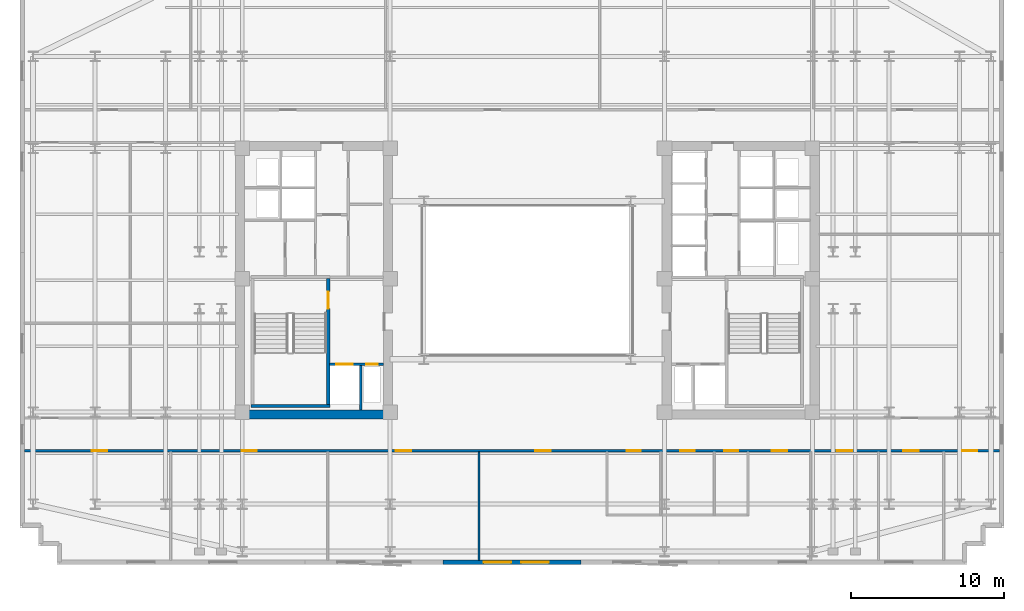
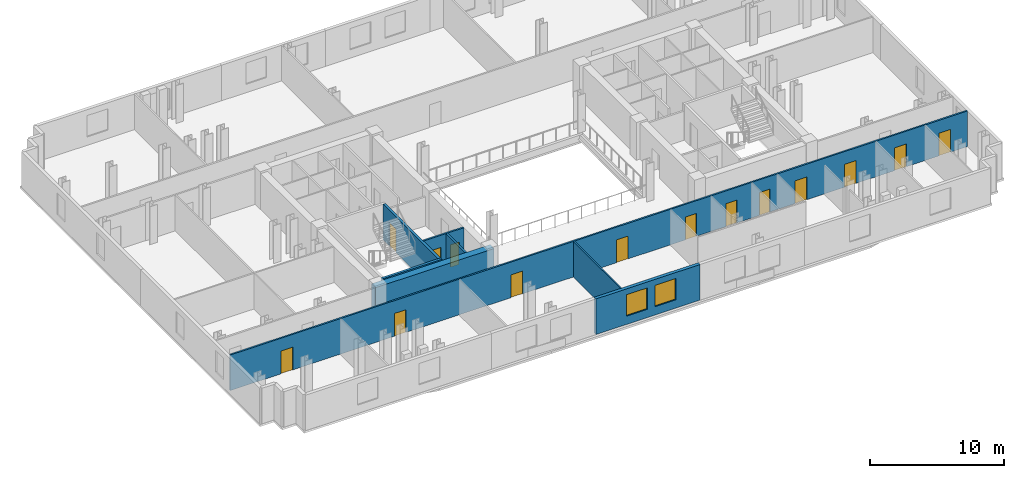
# One storey, part 4 of 9: 14 doors, 8 walls, 2 windows, 16 openings.
"""IFC4 building model written with IfcOpenShell, lengths in metres."""

from ifc_helpers import new_model, si_unit, direction, frame, frame_2d, origin, place, context, subcontext, project, spatial, rectangle, extrude, material, layer, layer_set, type_object, element, fill, save


model = new_model("IFC4")

# Units and contexts
model_context = context("Model", 3, precision=1e-05, world=origin(), true_north=direction((0.0, 1.0)))
body_context = subcontext(model_context, "Body", "Model", "MODEL_VIEW")
ifc_project = project(units=[si_unit("LENGTHUNIT", "METRE"), si_unit("AREAUNIT", "SQUARE_METRE"), si_unit("VOLUMEUNIT", "CUBIC_METRE"), si_unit("PLANEANGLEUNIT", "RADIAN"), si_unit("MASSUNIT", "GRAM", prefix="KILO")], contexts=[model_context])

# Site, building, storey
site_placement = place(None, origin())
site = spatial("IfcSite", under=ifc_project, at=site_placement, CompositionType="ELEMENT")
building_placement = place(site_placement, origin())
building = spatial("IfcBuilding", under=site, at=building_placement, Name="Velakula Bourse", CompositionType="ELEMENT")
storey_placement = place(building_placement, frame((0.0, 0.0, 138.10009765625)))
storey = spatial("IfcBuildingStorey", under=building, at=storey_placement, Name="L37", CompositionType="ELEMENT", Elevation=138.10009765625)

# Wall, opening, door
ifc_material_1 = material(Name="Concrete M50 (fck 50 MPa)", Category="concrete")
ifc_layer_1 = layer(ifc_material_1, 0.2099609375, Name="Concrete M50 (fck 50 MPa)", Category="concrete")
ifc_layer_set_1 = layer_set([ifc_layer_1], Name="Concrete M50 (fck 50 MPa)")
wall_type_1 = type_object("IfcWallType", Name="WL-CORE-210", PredefinedType="SHEAR", material=ifc_layer_set_1)
wall_1_placement = place(storey_placement, frame((-12.9951171875, -8.10009765625, 0.0), z_axis=(0.0, 0.0, 1.0), x_axis=(0.0, 1.0, 0.0)))
wall_1 = element("IfcWall", 1, at=wall_1_placement, inside=storey, type_object=wall_type_1, Name="L37 Core W Stairwell Shear Wall IN", PredefinedType="SHEAR", context=body_context, shape_type="SweptSolid", body=[
    extrude(rectangle(XDim=8.2001953125, YDim=0.2099609375, at=frame_2d((4.10009765625, 0.0))), origin(), (0.0, 0.0, 1.0), 3.27001953125),
])
opening_1_placement = place(wall_1_placement, frame((6.25, 0.0, 0.0)))
opening_1 = element("IfcOpeningElement", 2, at=opening_1_placement, cuts=wall_1, Name="Opening D-STW1", PredefinedType="OPENING", context=body_context, shape_type="SweptSolid", body=[
    extrude(rectangle(XDim=1.10009765625, YDim=2.14990234375, at=frame_2d((0.550048828125, 1.074951171875))), frame((0.0, 0.114990234375, 0.0), z_axis=(0.0, -1.0, 0.0), x_axis=(1.0, 0.0, 0.0)), (0.0, 0.0, 1.0), 0.22998046875),
])
ifc_material_2 = material(Name="Galvanised painted hollow steel fire door", Category="steel")
door_type_1 = type_object("IfcDoorType", Name="DR-FD120-1100x2150", OperationType="NOTDEFINED", PredefinedType="DOOR", material=ifc_material_2)
door_1_placement = place(opening_1_placement, origin())
door_1 = element("IfcDoor", 3, at=door_1_placement, inside=storey, type_object=door_type_1, Name="L37 Stair ST-W1 Fire Door", OperationType="SINGLE_SWING_LEFT", OverallHeight=2.14990234375, OverallWidth=1.10009765625, PredefinedType="DOOR", context=body_context, shape_type="SweptSolid", body=[
    extrude(rectangle(XDim=1.10009765625, YDim=2.14990234375, at=frame_2d((0.550048828125, 1.074951171875))), frame((0.0, 0.02490234375, 0.0), z_axis=(0.0, -1.0, 0.0), x_axis=(1.0, 0.0, 0.0)), (0.0, 0.0, 1.0), 0.050048828125),
])
fill(opening_1, door_1)

# Walls
wall_2_placement = place(storey_placement, frame((-18.030029296875, -8.205078125, 0.0), z_axis=(0.0, 0.0, 1.0), x_axis=(1.0, 0.0, 0.0)))
element("IfcWall", 4, at=wall_2_placement, inside=storey, type_object=wall_type_1, Name="L37 Core W Stairwell Shear Wall S", PredefinedType="SHEAR", context=body_context, shape_type="SweptSolid", body=[
    extrude(rectangle(XDim=5.14013671875, YDim=0.2099609375, at=frame_2d((2.570068359375, 0.0))), origin(), (0.0, 0.0, 1.0), 3.27001953125),
])
ifc_material_3 = material(Name="Concrete M70 (fck 70 MPa)", Category="concrete")
ifc_layer_2 = layer(ifc_material_3, 0.60009765625, Name="Concrete M70 (fck 70 MPa)", Category="concrete")
ifc_layer_set_2 = layer_set([ifc_layer_2], Name="Concrete M70 (fck 70 MPa)")
wall_type_2 = type_object("IfcWallType", Name="WL-CORE-600", PredefinedType="SHEAR", material=ifc_layer_set_2)
wall_3_placement = place(storey_placement, frame((-19.050048828125, -8.75, 0.0), z_axis=(0.0, 0.0, 1.0), x_axis=(1.0, 0.0, 0.0)))
element("IfcWall", 5, at=wall_3_placement, inside=storey, type_object=wall_type_2, Name="L37 Core W Shear Wall S", PredefinedType="SHEAR", context=body_context, shape_type="SweptSolid", body=[
    extrude(rectangle(XDim=10.25, YDim=0.60009765625, at=frame_2d((5.125, 0.0))), origin(), (0.0, 0.0, 1.0), 3.27001953125),
])

# Wall, openings, windows
ifc_material_4 = material(Name="Red kilned clay facing brick masonry", Category="masonry")
ifc_layer_3 = layer(ifc_material_4, 0.280029296875, Name="Red kilned clay facing brick masonry", Category="masonry")
ifc_layer_set_3 = layer_set([ifc_layer_3], Name="Red kilned clay facing brick masonry")
wall_type_3 = type_object("IfcWallType", Name="WL-EXT-BRK-280", PredefinedType="STANDARD", material=ifc_layer_set_3)
wall_4_placement = place(storey_placement, frame((3.5, -18.389892578125, 0.0), z_axis=(0.0, 0.0, 1.0), x_axis=(-1.0, 0.0, 0.0)))
wall_4 = element("IfcWall", 6, at=wall_4_placement, inside=storey, type_object=wall_type_3, Name="L37 S Brick Spandrel Wall B3", PredefinedType="STANDARD", context=body_context, shape_type="SweptSolid", body=[
    extrude(rectangle(XDim=9.0, YDim=0.280029296875, at=frame_2d((4.5, 0.0))), origin(), (0.0, 0.0, 1.0), 3.25),
])
opening_2_placement = place(wall_4_placement, frame((2.10009765625, 0.0, 0.760009765625)))
opening_2 = element("IfcOpeningElement", 7, at=opening_2_placement, cuts=wall_4, Name="Opening W-01", PredefinedType="OPENING", context=body_context, shape_type="SweptSolid", body=[
    extrude(rectangle(XDim=1.800048828125, YDim=1.949951171875, at=frame_2d((0.89990234375, 0.97509765625))), frame((0.0, 0.14990234375, 0.0), z_axis=(0.0, -1.0, 0.0), x_axis=(1.0, 0.0, 0.0)), (0.0, 0.0, 1.0), 0.300048828125),
])
opening_3_placement = place(wall_4_placement, frame((4.550048828125, 0.0, 0.760009765625)))
opening_3 = element("IfcOpeningElement", 8, at=opening_3_placement, cuts=wall_4, Name="Opening W-01", PredefinedType="OPENING", context=body_context, shape_type="SweptSolid", body=[
    extrude(rectangle(XDim=1.800048828125, YDim=1.949951171875, at=frame_2d((0.89990234375, 0.97509765625))), frame((0.0, 0.14990234375, 0.0), z_axis=(0.0, -1.0, 0.0), x_axis=(1.0, 0.0, 0.0)), (0.0, 0.0, 1.0), 0.300048828125),
])
ifc_material_5 = material(Name="Double-glazed solar-control Low-E glass", Category="glass")
window_type = type_object("IfcWindowType", Name="WIN-TWR-1800x2100", PartitioningType="SINGLE_PANEL", PredefinedType="WINDOW", material=ifc_material_5)
window_1_placement = place(opening_2_placement, origin())
window_1 = element("IfcWindow", 9, at=window_1_placement, inside=storey, type_object=window_type, Name="L37 Deep-Set Recessed Window 1", OverallHeight=1.949951171875, OverallWidth=1.800048828125, PartitioningType="SINGLE_PANEL", PredefinedType="WINDOW", context=body_context, shape_type="SweptSolid", body=[
    extrude(rectangle(XDim=1.800048828125, YDim=1.949951171875, at=frame_2d((0.89990234375, 0.97509765625))), frame((0.0, 0.030029296875, 0.0), z_axis=(0.0, -1.0, 0.0), x_axis=(1.0, 0.0, 0.0)), (0.0, 0.0, 1.0), 0.06005859375),
])
fill(opening_2, window_1)
window_2_placement = place(opening_3_placement, origin())
window_2 = element("IfcWindow", 10, at=window_2_placement, inside=storey, type_object=window_type, Name="L37 Deep-Set Recessed Window 2", OverallHeight=1.949951171875, OverallWidth=1.800048828125, PartitioningType="SINGLE_PANEL", PredefinedType="WINDOW", context=body_context, shape_type="SweptSolid", body=[
    extrude(rectangle(XDim=1.800048828125, YDim=1.949951171875, at=frame_2d((0.89990234375, 0.97509765625))), frame((0.0, 0.030029296875, 0.0), z_axis=(0.0, -1.0, 0.0), x_axis=(1.0, 0.0, 0.0)), (0.0, 0.0, 1.0), 0.06005859375),
])
fill(opening_3, window_2)

# Wall
ifc_material_6 = material(Name="Fire-rated double-layer gypsum drywall partition", Category="gypsum")
ifc_layer_4 = layer(ifc_material_6, 0.1201171875, Name="Fire-rated double-layer gypsum drywall partition", Category="gypsum")
ifc_layer_set_4 = layer_set([ifc_layer_4], Name="Fire-rated double-layer gypsum drywall partition")
wall_type_4 = type_object("IfcWallType", Name="WL-PART-120", PredefinedType="STANDARD", material=ifc_layer_set_4)
wall_5_placement = place(storey_placement, frame((-3.15087890625, -18.27001953125, 0.0), z_axis=(0.0, 0.0, 1.0), x_axis=(0.0, 1.0, 0.0)))
element("IfcWall", 11, at=wall_5_placement, inside=storey, type_object=wall_type_4, Name="L37 Interior Partition WL-INT-L37-SL-D7", PredefinedType="STANDARD", context=body_context, shape_type="SweptSolid", body=[
    extrude(rectangle(XDim=7.080078125, YDim=0.1201171875, at=frame_2d((3.5400390625, 0.0))), origin(), (0.0, 0.0, 1.0), 3.25),
])

# Wall, openings, doors
ifc_layer_5 = layer(ifc_material_6, 0.139892578125, Name="Fire-rated double-layer gypsum drywall partition", Category="gypsum")
ifc_layer_set_5 = layer_set([ifc_layer_5], Name="Fire-rated double-layer gypsum drywall partition")
wall_type_5 = type_object("IfcWallType", Name="WL-PART-140", PredefinedType="STANDARD", material=ifc_layer_set_5)
wall_6_placement = place(storey_placement, frame((-32.820068359375, -11.1201171875, 0.0), z_axis=(0.0, 0.0, 1.0), x_axis=(1.0, 0.0, 0.0)))
wall_6 = element("IfcWall", 12, at=wall_6_placement, inside=storey, type_object=wall_type_5, Name="L37 Interior Partition WL-INT-L37-S-CORR", PredefinedType="STANDARD", context=body_context, shape_type="SweptSolid", body=[
    extrude(rectangle(XDim=63.64013671875, YDim=0.139892578125, at=frame_2d((31.820068359375, 0.0))), origin(), (0.0, 0.0, 1.0), 3.25),
])
opening_4_placement = place(wall_6_placement, frame((39.31005859375, 0.0, 0.0)))
opening_4 = element("IfcOpeningElement", 13, at=opening_4_placement, cuts=wall_6, Name="Opening D-WT1", PredefinedType="OPENING", context=body_context, shape_type="SweptSolid", body=[
    extrude(rectangle(XDim=0.919921875, YDim=2.080078125, at=frame_2d((0.4599609375, 1.0400390625))), frame((0.0, 0.079833984375, 0.0), z_axis=(0.0, -1.0, 0.0), x_axis=(1.0, 0.0, 0.0)), (0.0, 0.0, 1.0), 0.159912109375),
])
opening_5_placement = place(wall_6_placement, frame((42.81005859375, 0.0, 0.0)))
opening_5 = element("IfcOpeningElement", 14, at=opening_5_placement, cuts=wall_6, Name="Opening D-WT1", PredefinedType="OPENING", context=body_context, shape_type="SweptSolid", body=[
    extrude(rectangle(XDim=0.919921875, YDim=2.080078125, at=frame_2d((0.4599609375, 1.0400390625))), frame((0.0, 0.079833984375, 0.0), z_axis=(0.0, -1.0, 0.0), x_axis=(1.0, 0.0, 0.0)), (0.0, 0.0, 1.0), 0.159912109375),
])
opening_6_placement = place(wall_6_placement, frame((45.659912109375, 0.0, 0.0)))
opening_6 = element("IfcOpeningElement", 15, at=opening_6_placement, cuts=wall_6, Name="Opening D-WC1", PredefinedType="OPENING", context=body_context, shape_type="SweptSolid", body=[
    extrude(rectangle(XDim=0.919921875, YDim=2.080078125, at=frame_2d((0.4599609375, 1.0400390625))), frame((0.0, 0.079833984375, 0.0), z_axis=(0.0, -1.0, 0.0), x_axis=(1.0, 0.0, 0.0)), (0.0, 0.0, 1.0), 0.159912109375),
])
opening_7_placement = place(wall_6_placement, frame((4.40087890625, 0.0, 0.0)))
opening_7 = element("IfcOpeningElement", 16, at=opening_7_placement, cuts=wall_6, Name="Opening D-OF1", PredefinedType="OPENING", context=body_context, shape_type="SweptSolid", body=[
    extrude(rectangle(XDim=1.0, YDim=2.080078125, at=frame_2d((0.5, 1.0400390625))), frame((0.0, 0.079833984375, 0.0), z_axis=(0.0, -1.0, 0.0), x_axis=(1.0, 0.0, 0.0)), (0.0, 0.0, 1.0), 0.159912109375),
])
opening_8_placement = place(wall_6_placement, frame((14.174560546875, 0.0, 0.0)))
opening_8 = element("IfcOpeningElement", 17, at=opening_8_placement, cuts=wall_6, Name="Opening D-OF1", PredefinedType="OPENING", context=body_context, shape_type="SweptSolid", body=[
    extrude(rectangle(XDim=1.0, YDim=2.080078125, at=frame_2d((0.5, 1.0400390625))), frame((0.0, 0.079833984375, 0.0), z_axis=(0.0, -1.0, 0.0), x_axis=(1.0, 0.0, 0.0)), (0.0, 0.0, 1.0), 0.159912109375),
])
opening_9_placement = place(wall_6_placement, frame((24.23388671875, 0.0, 0.0)))
opening_9 = element("IfcOpeningElement", 18, at=opening_9_placement, cuts=wall_6, Name="Opening D-OF1", PredefinedType="OPENING", context=body_context, shape_type="SweptSolid", body=[
    extrude(rectangle(XDim=1.0, YDim=2.080078125, at=frame_2d((0.5, 1.0400390625))), frame((0.0, 0.079833984375, 0.0), z_axis=(0.0, -1.0, 0.0), x_axis=(1.0, 0.0, 0.0)), (0.0, 0.0, 1.0), 0.159912109375),
])
opening_10_placement = place(wall_6_placement, frame((33.344482421875, 0.0, 0.0)))
opening_10 = element("IfcOpeningElement", 19, at=opening_10_placement, cuts=wall_6, Name="Opening D-OF1", PredefinedType="OPENING", context=body_context, shape_type="SweptSolid", body=[
    extrude(rectangle(XDim=1.0, YDim=2.080078125, at=frame_2d((0.5, 1.0400390625))), frame((0.0, 0.079833984375, 0.0), z_axis=(0.0, -1.0, 0.0), x_axis=(1.0, 0.0, 0.0)), (0.0, 0.0, 1.0), 0.159912109375),
])
opening_11_placement = place(wall_6_placement, frame((48.764892578125, 0.0, 0.0)))
opening_11 = element("IfcOpeningElement", 20, at=opening_11_placement, cuts=wall_6, Name="Opening D-OF1", PredefinedType="OPENING", context=body_context, shape_type="SweptSolid", body=[
    extrude(rectangle(XDim=1.0, YDim=2.080078125, at=frame_2d((0.5, 1.0400390625))), frame((0.0, 0.079833984375, 0.0), z_axis=(0.0, -1.0, 0.0), x_axis=(1.0, 0.0, 0.0)), (0.0, 0.0, 1.0), 0.159912109375),
])
opening_12_placement = place(wall_6_placement, frame((53.0185546875, 0.0, 0.0)))
opening_12 = element("IfcOpeningElement", 21, at=opening_12_placement, cuts=wall_6, Name="Opening D-OF1", PredefinedType="OPENING", context=body_context, shape_type="SweptSolid", body=[
    extrude(rectangle(XDim=1.0, YDim=2.080078125, at=frame_2d((0.5, 1.0400390625))), frame((0.0, 0.079833984375, 0.0), z_axis=(0.0, -1.0, 0.0), x_axis=(1.0, 0.0, 0.0)), (0.0, 0.0, 1.0), 0.159912109375),
])
opening_13_placement = place(wall_6_placement, frame((57.35400390625, 0.0, 0.0)))
opening_13 = element("IfcOpeningElement", 22, at=opening_13_placement, cuts=wall_6, Name="Opening D-OF1", PredefinedType="OPENING", context=body_context, shape_type="SweptSolid", body=[
    extrude(rectangle(XDim=1.0, YDim=2.080078125, at=frame_2d((0.5, 1.0400390625))), frame((0.0, 0.079833984375, 0.0), z_axis=(0.0, -1.0, 0.0), x_axis=(1.0, 0.0, 0.0)), (0.0, 0.0, 1.0), 0.159912109375),
])
opening_14_placement = place(wall_6_placement, frame((61.1845703125, 0.0, 0.0)))
opening_14 = element("IfcOpeningElement", 23, at=opening_14_placement, cuts=wall_6, Name="Opening D-OF1", PredefinedType="OPENING", context=body_context, shape_type="SweptSolid", body=[
    extrude(rectangle(XDim=1.0, YDim=2.080078125, at=frame_2d((0.5, 1.0400390625))), frame((0.0, 0.079833984375, 0.0), z_axis=(0.0, -1.0, 0.0), x_axis=(1.0, 0.0, 0.0)), (0.0, 0.0, 1.0), 0.159912109375),
])
ifc_material_7 = material(Name="Fire-rated hardwood flush architectural door", Category="wood")
door_type_2 = type_object("IfcDoorType", Name="DR-OFF-1000", OperationType="NOTDEFINED", PredefinedType="DOOR", material=ifc_material_7)
door_2_placement = place(opening_7_placement, origin())
door_2 = element("IfcDoor", 24, at=door_2_placement, inside=storey, type_object=door_type_2, Name="L37 Sky-Garden Veranda Lounge Door", OperationType="SINGLE_SWING_LEFT", OverallHeight=2.080078125, OverallWidth=1.0, PredefinedType="DOOR", context=body_context, shape_type="SweptSolid", body=[
    extrude(rectangle(XDim=1.0, YDim=2.080078125, at=frame_2d((0.5, 1.0400390625))), frame((0.0, 0.02490234375, 0.0), z_axis=(0.0, -1.0, 0.0), x_axis=(1.0, 0.0, 0.0)), (0.0, 0.0, 1.0), 0.050048828125),
])
fill(opening_7, door_2)
door_3_placement = place(opening_8_placement, origin())
door_3 = element("IfcDoor", 25, at=door_3_placement, inside=storey, type_object=door_type_2, Name="L37 Bullion Assay Office Door", OperationType="SINGLE_SWING_RIGHT", OverallHeight=2.080078125, OverallWidth=1.0, PredefinedType="DOOR", context=body_context, shape_type="SweptSolid", body=[
    extrude(rectangle(XDim=1.0, YDim=2.080078125, at=frame_2d((0.5, 1.0400390625))), frame((0.0, 0.02490234375, 0.0), z_axis=(0.0, -1.0, 0.0), x_axis=(1.0, 0.0, 0.0)), (0.0, 0.0, 1.0), 0.050048828125),
])
fill(opening_8, door_3)
door_4_placement = place(opening_9_placement, origin())
door_4 = element("IfcDoor", 26, at=door_4_placement, inside=storey, type_object=door_type_2, Name="L37 Disciplinary Hearing Room Door", OperationType="SINGLE_SWING_LEFT", OverallHeight=2.080078125, OverallWidth=1.0, PredefinedType="DOOR", context=body_context, shape_type="SweptSolid", body=[
    extrude(rectangle(XDim=1.0, YDim=2.080078125, at=frame_2d((0.5, 1.0400390625))), frame((0.0, 0.02490234375, 0.0), z_axis=(0.0, -1.0, 0.0), x_axis=(1.0, 0.0, 0.0)), (0.0, 0.0, 1.0), 0.050048828125),
])
fill(opening_9, door_4)
door_5_placement = place(opening_10_placement, origin())
door_5 = element("IfcDoor", 27, at=door_5_placement, inside=storey, type_object=door_type_2, Name="L37 Traders Pantry Door", OperationType="SINGLE_SWING_RIGHT", OverallHeight=2.080078125, OverallWidth=1.0, PredefinedType="DOOR", context=body_context, shape_type="SweptSolid", body=[
    extrude(rectangle(XDim=1.0, YDim=2.080078125, at=frame_2d((0.5, 1.0400390625))), frame((0.0, 0.02490234375, 0.0), z_axis=(0.0, -1.0, 0.0), x_axis=(1.0, 0.0, 0.0)), (0.0, 0.0, 1.0), 0.050048828125),
])
fill(opening_10, door_5)
door_6_placement = place(opening_11_placement, origin())
door_6 = element("IfcDoor", 28, at=door_6_placement, inside=storey, type_object=door_type_2, Name="L37 Bourse Executive Workspace Door", OperationType="SINGLE_SWING_LEFT", OverallHeight=2.080078125, OverallWidth=1.0, PredefinedType="DOOR", context=body_context, shape_type="SweptSolid", body=[
    extrude(rectangle(XDim=1.0, YDim=2.080078125, at=frame_2d((0.5, 1.0400390625))), frame((0.0, 0.02490234375, 0.0), z_axis=(0.0, -1.0, 0.0), x_axis=(1.0, 0.0, 0.0)), (0.0, 0.0, 1.0), 0.050048828125),
])
fill(opening_11, door_6)
door_7_placement = place(opening_12_placement, origin())
door_7 = element("IfcDoor", 29, at=door_7_placement, inside=storey, type_object=door_type_2, Name="L37 Issuer Relations Office Door", OperationType="SINGLE_SWING_RIGHT", OverallHeight=2.080078125, OverallWidth=1.0, PredefinedType="DOOR", context=body_context, shape_type="SweptSolid", body=[
    extrude(rectangle(XDim=1.0, YDim=2.080078125, at=frame_2d((0.5, 1.0400390625))), frame((0.0, 0.02490234375, 0.0), z_axis=(0.0, -1.0, 0.0), x_axis=(1.0, 0.0, 0.0)), (0.0, 0.0, 1.0), 0.050048828125),
])
fill(opening_12, door_7)
door_8_placement = place(opening_13_placement, origin())
door_8 = element("IfcDoor", 30, at=door_8_placement, inside=storey, type_object=door_type_2, Name="L37 Sky-Garden Veranda Lounge Door", OperationType="SINGLE_SWING_LEFT", OverallHeight=2.080078125, OverallWidth=1.0, PredefinedType="DOOR", context=body_context, shape_type="SweptSolid", body=[
    extrude(rectangle(XDim=1.0, YDim=2.080078125, at=frame_2d((0.5, 1.0400390625))), frame((0.0, 0.02490234375, 0.0), z_axis=(0.0, -1.0, 0.0), x_axis=(1.0, 0.0, 0.0)), (0.0, 0.0, 1.0), 0.050048828125),
])
fill(opening_13, door_8)
door_9_placement = place(opening_14_placement, origin())
door_9 = element("IfcDoor", 31, at=door_9_placement, inside=storey, type_object=door_type_2, Name="L37 Bullion Assay Office Door", OperationType="SINGLE_SWING_RIGHT", OverallHeight=2.080078125, OverallWidth=1.0, PredefinedType="DOOR", context=body_context, shape_type="SweptSolid", body=[
    extrude(rectangle(XDim=1.0, YDim=2.080078125, at=frame_2d((0.5, 1.0400390625))), frame((0.0, 0.02490234375, 0.0), z_axis=(0.0, -1.0, 0.0), x_axis=(1.0, 0.0, 0.0)), (0.0, 0.0, 1.0), 0.050048828125),
])
fill(opening_14, door_9)
door_type_3 = type_object("IfcDoorType", Name="DR-WC-950", OperationType="NOTDEFINED", PredefinedType="DOOR", material=ifc_material_7)
door_10_placement = place(opening_4_placement, origin())
door_10 = element("IfcDoor", 32, at=door_10_placement, inside=storey, type_object=door_type_3, Name="L37 Male Staff Toilet Door", OperationType="SINGLE_SWING_RIGHT", OverallHeight=2.080078125, OverallWidth=0.919921875, PredefinedType="DOOR", context=body_context, shape_type="SweptSolid", body=[
    extrude(rectangle(XDim=0.919921875, YDim=2.080078125, at=frame_2d((0.4599609375, 1.0400390625))), frame((0.0, 0.02490234375, 0.0), z_axis=(0.0, -1.0, 0.0), x_axis=(1.0, 0.0, 0.0)), (0.0, 0.0, 1.0), 0.050048828125),
])
fill(opening_4, door_10)
door_11_placement = place(opening_5_placement, origin())
door_11 = element("IfcDoor", 33, at=door_11_placement, inside=storey, type_object=door_type_3, Name="L37 Female Staff Toilet Door", OperationType="SINGLE_SWING_LEFT", OverallHeight=2.080078125, OverallWidth=0.919921875, PredefinedType="DOOR", context=body_context, shape_type="SweptSolid", body=[
    extrude(rectangle(XDim=0.919921875, YDim=2.080078125, at=frame_2d((0.4599609375, 1.0400390625))), frame((0.0, 0.02490234375, 0.0), z_axis=(0.0, -1.0, 0.0), x_axis=(1.0, 0.0, 0.0)), (0.0, 0.0, 1.0), 0.050048828125),
])
fill(opening_5, door_11)
door_12_placement = place(opening_6_placement, origin())
door_12 = element("IfcDoor", 34, at=door_12_placement, inside=storey, type_object=door_type_3, Name="L37 Accessible WC Door", OperationType="SINGLE_SWING_RIGHT", OverallHeight=2.080078125, OverallWidth=0.919921875, PredefinedType="DOOR", context=body_context, shape_type="SweptSolid", body=[
    extrude(rectangle(XDim=0.919921875, YDim=2.080078125, at=frame_2d((0.4599609375, 1.0400390625))), frame((0.0, 0.02490234375, 0.0), z_axis=(0.0, -1.0, 0.0), x_axis=(1.0, 0.0, 0.0)), (0.0, 0.0, 1.0), 0.050048828125),
])
fill(opening_6, door_12)

ifc_material_8 = material(Name="Autoclaved aerated concrete blockwork masonry", Category="masonry")
ifc_layer_6 = layer(ifc_material_8, 0.14990234375, Name="Autoclaved aerated concrete blockwork masonry", Category="masonry")
ifc_layer_set_6 = layer_set([ifc_layer_6], Name="Autoclaved aerated concrete blockwork masonry")
wall_type_6 = type_object("IfcWallType", Name="WL-SHAFT-150", PredefinedType="STANDARD", material=ifc_layer_set_6)
wall_7_placement = place(storey_placement, frame((-12.89501953125, -5.47509765625, 0.0), z_axis=(0.0, 0.0, 1.0), x_axis=(1.0, 0.0, 0.0)))
wall_7 = element("IfcWall", 35, at=wall_7_placement, inside=storey, type_object=wall_type_6, Name="L37 Interior Partition WL-CRW-L37-FFL-N", PredefinedType="STANDARD", context=body_context, shape_type="SweptSolid", body=[
    extrude(rectangle(XDim=3.4951171875, YDim=0.14990234375, at=frame_2d((1.74755859375, 0.0))), origin(), (0.0, 0.0, 1.0), 3.25),
])
opening_15_placement = place(wall_7_placement, frame((0.419921875, 0.0, 0.0)))
opening_15 = element("IfcOpeningElement", 36, at=opening_15_placement, cuts=wall_7, Name="Opening LD-FFL-1", PredefinedType="OPENING", context=body_context, shape_type="SweptSolid", body=[
    extrude(rectangle(XDim=1.10009765625, YDim=2.14990234375, at=frame_2d((0.550048828125, 1.074951171875))), frame((0.0, 0.0849609375, 0.0), z_axis=(0.0, -1.0, 0.0), x_axis=(1.0, 0.0, 0.0)), (0.0, 0.0, 1.0), 0.169921875),
])
opening_16_placement = place(wall_7_placement, frame((2.3701171875, 0.0, 0.0)))
opening_16 = element("IfcOpeningElement", 37, at=opening_16_placement, cuts=wall_7, Name="Opening D-RS1", PredefinedType="OPENING", context=body_context, shape_type="SweptSolid", body=[
    extrude(rectangle(XDim=0.75, YDim=2.050048828125, at=frame_2d((0.375, 1.02490234375))), frame((0.0, 0.0849609375, 0.0), z_axis=(0.0, -1.0, 0.0), x_axis=(1.0, 0.0, 0.0)), (0.0, 0.0, 1.0), 0.169921875),
])
door_type_4 = type_object("IfcDoorType", Name="DR-RISER-800", OperationType="NOTDEFINED", PredefinedType="DOOR", material=ifc_material_2)
door_13_placement = place(opening_16_placement, origin())
door_13 = element("IfcDoor", 38, at=door_13_placement, inside=storey, type_object=door_type_4, Name="L37 Fire Riser Access Door", OperationType="SINGLE_SWING_LEFT", OverallHeight=2.050048828125, OverallWidth=0.75, PredefinedType="DOOR", context=body_context, shape_type="SweptSolid", body=[
    extrude(rectangle(XDim=0.75, YDim=2.050048828125, at=frame_2d((0.375, 1.02490234375))), frame((0.0, 0.02490234375, 0.0), z_axis=(0.0, -1.0, 0.0), x_axis=(1.0, 0.0, 0.0)), (0.0, 0.0, 1.0), 0.050048828125),
])
fill(opening_16, door_13)
ifc_material_9 = material(Name="Brushed grade 316 stainless steel", Category="steel")
door_type_5 = type_object("IfcDoorType", Name="DR-SLIDE-FFL-1100", OperationType="DOUBLE_DOOR_SLIDING", PredefinedType="DOOR", material=ifc_material_9)
door_14_placement = place(opening_15_placement, origin())
door_14 = element("IfcDoor", 39, at=door_14_placement, inside=storey, type_object=door_type_5, Name="L37 Firefighting Lift FFL-1 Sliding Landing Door", OperationType="DOUBLE_DOOR_SLIDING", OverallHeight=2.14990234375, OverallWidth=1.10009765625, PredefinedType="DOOR", context=body_context, shape_type="SweptSolid", body=[
    extrude(rectangle(XDim=1.10009765625, YDim=2.14990234375, at=frame_2d((0.550048828125, 1.074951171875))), frame((0.0, 0.02490234375, 0.0), z_axis=(0.0, -1.0, 0.0), x_axis=(1.0, 0.0, 0.0)), (0.0, 0.0, 1.0), 0.050048828125),
])
fill(opening_15, door_14)

# Wall
wall_8_placement = place(storey_placement, frame((-10.875, -8.449951171875, 0.0), z_axis=(0.0, 0.0, 1.0), x_axis=(0.0, 1.0, 0.0)))
element("IfcWall", 40, at=wall_8_placement, inside=storey, type_object=wall_type_6, Name="L37 Interior Partition WL-CRW-L37-FR-DIV", PredefinedType="STANDARD", context=body_context, shape_type="SweptSolid", body=[
    extrude(rectangle(XDim=2.89990234375, YDim=0.14990234375, at=frame_2d((1.449951171875, 0.0))), origin(), (0.0, 0.0, 1.0), 3.25),
])

save(model, "model.ifc")
